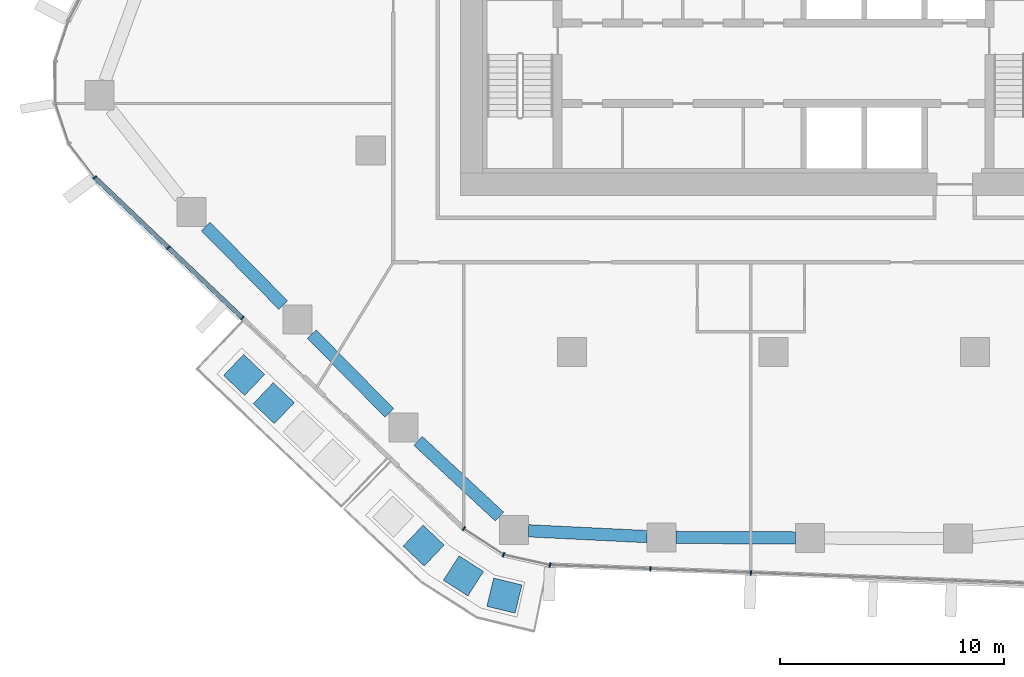
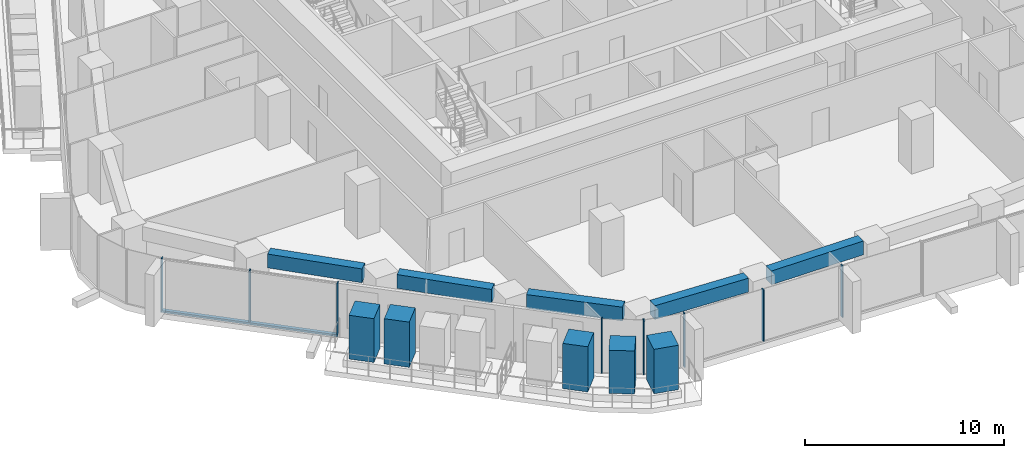
# One storey, part 2 of 23: 14 members, 5 beams, 4 elements without a shape of their own.
"""IFC4 building model written with IfcOpenShell, lengths in metres."""

from ifc_helpers import new_model, si_unit, direction, frame, origin, origin_2d, place, context, subcontext, project, spatial, rectangle, extrude, material, layer, layer_set, material_profile, profile_set, type_object, element, aggregate, save


model = new_model("IFC4")

# Units and contexts
model_context = context("Model", 3, precision=1e-05, world=origin(), true_north=direction((0.0, 1.0)))
body_context = subcontext(model_context, "Body", "Model", "MODEL_VIEW")
ifc_project = project(units=[si_unit("LENGTHUNIT", "METRE"), si_unit("AREAUNIT", "SQUARE_METRE"), si_unit("VOLUMEUNIT", "CUBIC_METRE"), si_unit("PLANEANGLEUNIT", "RADIAN"), si_unit("MASSUNIT", "GRAM", prefix="KILO")], contexts=[model_context])

# Site, building, storey
site_placement = place(None, origin())
site = spatial("IfcSite", under=ifc_project, at=site_placement, CompositionType="ELEMENT")
building_placement = place(site_placement, origin())
building = spatial("IfcBuilding", under=site, at=building_placement, Name="Dongbaek Canopy Tower", CompositionType="ELEMENT")
storey_placement = place(building_placement, frame((0.0, 0.0, 132.199951171875)))
storey = spatial("IfcBuildingStorey", under=building, at=storey_placement, Name="L29", CompositionType="ELEMENT", Elevation=132.199951171875)

# Curtain wall, member
ifc_material_1 = material(Name="Aluminium 6063-T6 pale anodised", Category="aluminium")
ifc_layer = layer(ifc_material_1, 0.199951171875)
ifc_layer_set = layer_set([ifc_layer], Name="CW-1 unitised tower curtain wall")
curtain_wall_type = type_object("IfcCurtainWallType", Name="CW-1 unitised tower curtain wall", PredefinedType="NOTDEFINED", material=ifc_layer_set)
curtain_wall_1_placement = place(storey_placement, origin())
curtain_wall_1 = element("IfcCurtainWall", 1, at=curtain_wall_1_placement, inside=storey, type_object=curtain_wall_type, Name="CW-1 curtain wall K3.1", PredefinedType="NOTDEFINED")
ifc_material_2 = material(Name="Aluminium 6063-T6 pale anodised", Category="aluminium")
ifc_material_profile_1 = material_profile(ifc_material_2, rectangle(XDim=0.199951171875, YDim=0.06005859375, at=origin_2d()), Name="CW-1 mullion 60 x 200")
ifc_profile_set_1 = profile_set([ifc_material_profile_1], Name="Aluminium 6063-T6 pale anodised")
member_type_1 = type_object("IfcMemberType", Name="CW-1 mullion 60 x 200", PredefinedType="MULLION", material=ifc_profile_set_1)
member_1_placement = place(storey_placement, frame((-30.33984375, -10.206298828125, 0.0), z_axis=(0.0, 0.0, 1.0), x_axis=(-0.796707337317, -0.604365302334, 0.0)))
member_1 = element("IfcMember", 2, at=member_1_placement, type_object=member_type_1, Name="CW-1 mullion K3.1.5", PredefinedType="MULLION", context=body_context, shape_type="SweptSolid", body=[
    extrude(rectangle(XDim=0.199951171875, YDim=0.06005859375, at=origin_2d()), origin(), (0.0, 0.0, 1.0), 3.300048828125),
])
aggregate(curtain_wall_1, [member_1])

# Curtain wall, members
curtain_wall_2_placement = place(storey_placement, origin())
curtain_wall_2 = element("IfcCurtainWall", 3, at=curtain_wall_2_placement, inside=storey, type_object=curtain_wall_type, Name="CW-1 curtain wall F3.1", PredefinedType="NOTDEFINED")
member_2_placement = place(storey_placement, frame((-27.04345703125, -13.342529296875, 0.1201171875), z_axis=(0.0, 0.0, 1.0), x_axis=(-0.689301871769, -0.724474243555, 0.0)))
member_2 = element("IfcMember", 4, at=member_2_placement, type_object=member_type_1, Name="CW-1 mullion F3.1.2", PredefinedType="MULLION", context=body_context, shape_type="SweptSolid", body=[
    extrude(rectangle(XDim=0.199951171875, YDim=0.06005859375, at=origin_2d()), origin(), (0.0, 0.0, 1.0), 3.179931640625),
])
member_3_placement = place(storey_placement, frame((-23.741455078125, -16.484375, 0.1201171875), z_axis=(0.0, 0.0, 1.0), x_axis=(-0.689301871769, -0.724474243555, 0.0)))
member_3 = element("IfcMember", 5, at=member_3_placement, type_object=member_type_1, Name="CW-1 mullion F3.1.3", PredefinedType="MULLION", context=body_context, shape_type="SweptSolid", body=[
    extrude(rectangle(XDim=0.199951171875, YDim=0.06005859375, at=origin_2d()), origin(), (0.0, 0.0, 1.0), 3.179931640625),
])

curtain_wall_3_placement = place(storey_placement, origin())
curtain_wall_3 = element("IfcCurtainWall", 6, at=curtain_wall_3_placement, inside=storey, type_object=curtain_wall_type, Name="CW-1 curtain wall K4.1", PredefinedType="NOTDEFINED")
member_4_placement = place(storey_placement, frame((-13.841796875, -25.9033203125, 0.0), z_axis=(0.0, 0.0, 1.0), x_axis=(-0.548059849958, -0.83643911964, 0.0)))
member_4 = element("IfcMember", 7, at=member_4_placement, type_object=member_type_1, Name="CW-1 mullion K4.1.1", PredefinedType="MULLION", context=body_context, shape_type="SweptSolid", body=[
    extrude(rectangle(XDim=0.199951171875, YDim=0.06005859375, at=origin_2d()), origin(), (0.0, 0.0, 1.0), 3.300048828125),
])
member_5_placement = place(storey_placement, frame((-12.062744140625, -27.069091796875, 0.0), z_axis=(0.0, 0.0, 1.0), x_axis=(-0.389013861584, -0.921231901041, 0.0)))
member_5 = element("IfcMember", 8, at=member_5_placement, type_object=member_type_1, Name="CW-1 mullion K4.1.2", PredefinedType="MULLION", context=body_context, shape_type="SweptSolid", body=[
    extrude(rectangle(XDim=0.199951171875, YDim=0.06005859375, at=origin_2d()), origin(), (0.0, 0.0, 1.0), 3.300048828125),
])
member_6_placement = place(storey_placement, frame((-9.98681640625, -27.53125, 0.0), z_axis=(0.0, 0.0, 1.0), x_axis=(-0.21733058588, -0.976098056776, 0.0)))
member_6 = element("IfcMember", 9, at=member_6_placement, type_object=member_type_1, Name="CW-1 mullion K4.1.3", PredefinedType="MULLION", context=body_context, shape_type="SweptSolid", body=[
    extrude(rectangle(XDim=0.199951171875, YDim=0.06005859375, at=origin_2d()), origin(), (0.0, 0.0, 1.0), 3.300048828125),
])
aggregate(curtain_wall_3, [member_4, member_5, member_6])

curtain_wall_4_placement = place(storey_placement, origin())
curtain_wall_4 = element("IfcCurtainWall", 10, at=curtain_wall_4_placement, inside=storey, type_object=curtain_wall_type, Name="CW-1 curtain wall F4.1", PredefinedType="NOTDEFINED")
member_7_placement = place(storey_placement, frame((-5.50341796875, -27.704345703125, 0.1201171875), z_axis=(0.0, 0.0, 1.0), x_axis=(-0.038587229989, -0.999255235504, 0.0)))
member_7 = element("IfcMember", 11, at=member_7_placement, type_object=member_type_1, Name="CW-1 mullion F4.1.2", PredefinedType="MULLION", context=body_context, shape_type="SweptSolid", body=[
    extrude(rectangle(XDim=0.199951171875, YDim=0.06005859375, at=origin_2d()), origin(), (0.0, 0.0, 1.0), 3.179931640625),
])
member_8_placement = place(storey_placement, frame((-1.010986328125, -27.8779296875, 0.1201171875), z_axis=(0.0, 0.0, 1.0), x_axis=(-0.038587229989, -0.999255235504, 0.0)))
member_8 = element("IfcMember", 12, at=member_8_placement, type_object=member_type_1, Name="CW-1 mullion F4.1.3", PredefinedType="MULLION", context=body_context, shape_type="SweptSolid", body=[
    extrude(rectangle(XDim=0.199951171875, YDim=0.06005859375, at=origin_2d()), origin(), (0.0, 0.0, 1.0), 3.179931640625),
])
aggregate(curtain_wall_4, [member_7, member_8])

# Member
ifc_material_3 = material(Name="Aluminium 6063-T6 pale anodised", Category="aluminium")
ifc_material_profile_2 = material_profile(ifc_material_3, rectangle(XDim=0.199951171875, YDim=0.1201171875, at=origin_2d()), Name="CW-1 transom 120 x 200")
ifc_profile_set_2 = profile_set([ifc_material_profile_2], Name="Aluminium 6063-T6 pale anodised")
member_type_2 = type_object("IfcMemberType", Name="CW-1 transom 120 x 200", PredefinedType="USERDEFINED", material=ifc_profile_set_2)
member_9_placement = place(storey_placement, frame((-30.33984375, -10.206298828125, 0.06005859375), z_axis=(0.724472516228, -0.689303687231, 0.0), x_axis=(0.689303687231, 0.724472516228, 0.0)))
member_9 = element("IfcMember", 13, at=member_9_placement, type_object=member_type_2, Name="CW-1 transom F3.1.1", ObjectType="TRANSOM", PredefinedType="USERDEFINED", context=body_context, shape_type="SweptSolid", body=[
    extrude(rectangle(XDim=0.199951171875, YDim=0.1201171875, at=origin_2d()), origin(), (0.0, 0.0, 1.0), 9.10791015625),
])

aggregate(curtain_wall_2, [member_2, member_3, member_9])

# Beams
ifc_material_4 = material(Name="Concrete C80", Category="concrete")
ifc_material_profile_3 = material_profile(ifc_material_4, rectangle(XDim=0.550048828125, YDim=0.85009765625, at=origin_2d()), Name="RC EDGE BEAM 550x850 C80")
ifc_profile_set_3 = profile_set([ifc_material_profile_3], Name="Concrete C80")
beam_type = type_object("IfcBeamType", Name="RC EDGE BEAM 550x850 C80", PredefinedType="BEAM", material=ifc_profile_set_3)
beam_1_placement = place(storey_placement, frame((0.97900390625, -26.316162109375, 2.875), z_axis=(-0.999990328846, 0.004397978357, 0.0), x_axis=(-0.004397978357, -0.999990328846, 0.0)))
element("IfcBeam", 14, at=beam_1_placement, inside=storey, type_object=beam_type, Name="EDGEBEAM:L29:02", PredefinedType="BEAM", context=body_context, shape_type="SweptSolid", body=[
    extrude(rectangle(XDim=0.550048828125, YDim=0.85009765625, at=origin_2d()), origin(), (0.0, 0.0, 1.0), 5.3291015625),
])
beam_2_placement = place(storey_placement, frame((-5.64990234375, -26.258056640625, 2.875), z_axis=(-0.998796128786, 0.049053981722, 0.0), x_axis=(-0.049053981722, -0.998796128786, 0.0)))
element("IfcBeam", 15, at=beam_2_placement, inside=storey, type_object=beam_type, Name="EDGEBEAM:L29:03", PredefinedType="BEAM", context=body_context, shape_type="SweptSolid", body=[
    extrude(rectangle(XDim=0.550048828125, YDim=0.85009765625, at=origin_2d()), origin(), (0.0, 0.0, 1.0), 5.305419921875),
])
beam_3_placement = place(storey_placement, frame((-12.2490234375, -25.361328125, 2.875), z_axis=(-0.732272884801, 0.681011323097, 0.0), x_axis=(-0.681011323097, -0.732272884801, 0.0)))
element("IfcBeam", 16, at=beam_3_placement, inside=storey, type_object=beam_type, Name="EDGEBEAM:L29:04", PredefinedType="BEAM", context=body_context, shape_type="SweptSolid", body=[
    extrude(rectangle(XDim=0.550048828125, YDim=0.85009765625, at=origin_2d()), origin(), (0.0, 0.0, 1.0), 4.962646484375),
])
beam_4_placement = place(storey_placement, frame((-17.173095703125, -20.72705078125, 2.875), z_axis=(-0.701695422573, 0.712477040992, 0.0), x_axis=(-0.712477040992, -0.701695422573, 0.0)))
element("IfcBeam", 17, at=beam_4_placement, inside=storey, type_object=beam_type, Name="EDGEBEAM:L29:05", PredefinedType="BEAM", context=body_context, shape_type="SweptSolid", body=[
    extrude(rectangle(XDim=0.550048828125, YDim=0.85009765625, at=origin_2d()), origin(), (0.0, 0.0, 1.0), 4.9365234375),
])
beam_5_placement = place(storey_placement, frame((-21.9169921875, -15.909912109375, 2.875), z_axis=(-0.70172014863, 0.712452688259, 0.0), x_axis=(-0.712452688259, -0.70172014863, 0.0)))
element("IfcBeam", 18, at=beam_5_placement, inside=storey, type_object=beam_type, Name="EDGEBEAM:L29:06", PredefinedType="BEAM", context=body_context, shape_type="SweptSolid", body=[
    extrude(rectangle(XDim=0.550048828125, YDim=0.85009765625, at=origin_2d()), origin(), (0.0, 0.0, 1.0), 4.936279296875),
])

# Members
ifc_material_5 = material(Name="Concrete C40/50 planter mass with planting", Category="concrete")
ifc_material_profile_4 = material_profile(ifc_material_5, rectangle(XDim=1.300048828125, YDim=1.300048828125, at=origin_2d()), Name="Terrace PLANTER shrub mass 1300 x 1300")
ifc_profile_set_4 = profile_set([ifc_material_profile_4], Name="Concrete C40/50 planter mass with planting")
member_type_3 = type_object("IfcMemberType", Name="Terrace PLANTER shrub mass 1300 x 1300", PredefinedType="USERDEFINED", material=ifc_profile_set_4)
member_10_placement = place(storey_placement, frame((-23.66064453125, -19.03173828125, 0.420166015625), z_axis=(0.0, 0.0, 1.0), x_axis=(-0.689301871769, -0.724474243555, 0.0)))
element("IfcMember", 19, at=member_10_placement, inside=storey, type_object=member_type_3, Name="Planter shrubs L29 3.1", ObjectType="PLANTER", PredefinedType="USERDEFINED", context=body_context, shape_type="SweptSolid", body=[
    extrude(rectangle(XDim=1.300048828125, YDim=1.300048828125, at=origin_2d()), origin(), (0.0, 0.0, 1.0), 2.68994140625),
])
for number, where, z_axis, x_axis, name in (
    (20, (-22.335693359375, -20.29248046875, 0.420166015625), (0.0, 0.0, 1.0), (-0.689301871769, -0.724474243555, 0.0), "Planter shrubs L29 3.2"),
    (21, (-15.63623046875, -26.65966796875, 0.420166015625), (0.0, 0.0, 1.0), (-0.687975835492, -0.72573359422, 0.0), "Planter shrubs L29 7.2"),
):
    element("IfcMember", number, at=place(storey_placement, frame(where, z_axis=z_axis, x_axis=x_axis)), inside=storey, type_object=member_type_3, Name=name, ObjectType="PLANTER", PredefinedType="USERDEFINED", context=body_context, shape_type="SweptSolid", body=[
        extrude(rectangle(XDim=1.300048828125, YDim=1.300048828125, at=origin_2d()), origin(), (0.0, 0.0, 1.0), 2.77978515625),
    ])
member_11_placement = place(storey_placement, frame((-13.85693359375, -28.012939453125, 0.420166015625), z_axis=(0.0, 0.0, 1.0), x_axis=(-0.541448947482, -0.840733630391, 0.0)))
element("IfcMember", 22, at=member_11_placement, inside=storey, type_object=member_type_3, Name="Planter shrubs L29 7.3", ObjectType="PLANTER", PredefinedType="USERDEFINED", context=body_context, shape_type="SweptSolid", body=[
    extrude(rectangle(XDim=1.300048828125, YDim=1.300048828125, at=origin_2d()), origin(), (0.0, 0.0, 1.0), 2.64990234375),
])
member_12_placement = place(storey_placement, frame((-12.027099609375, -28.896728515625, 0.420166015625), z_axis=(0.0, 0.0, 1.0), x_axis=(-0.235066563542, -0.971979274833, 0.0)))
element("IfcMember", 23, at=member_12_placement, inside=storey, type_object=member_type_3, Name="Planter shrubs L29 7.4", ObjectType="PLANTER", PredefinedType="USERDEFINED", context=body_context, shape_type="SweptSolid", body=[
    extrude(rectangle(XDim=1.300048828125, YDim=1.300048828125, at=origin_2d()), origin(), (0.0, 0.0, 1.0), 2.72998046875),
])

save(model, "model.ifc")
